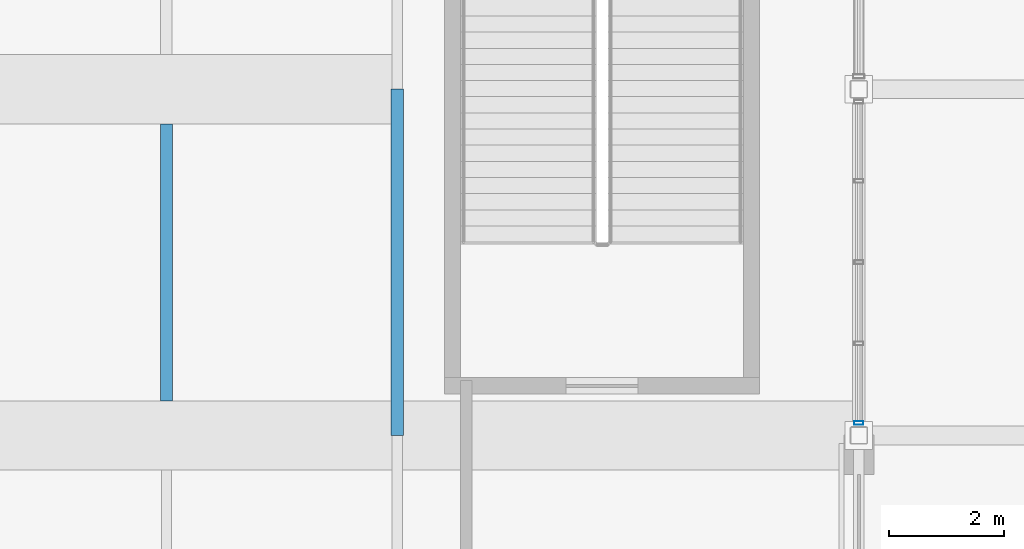
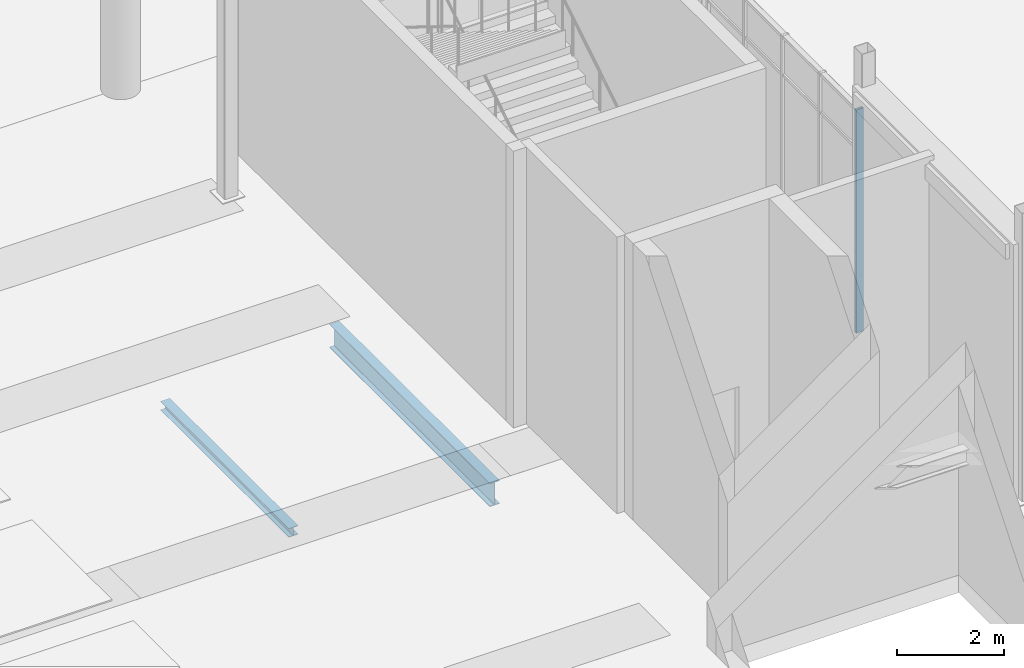
# One storey, part 42 of 140: 2 beams, 1 member, 1 element without a shape of its own.
"""IFC4 building model written with IfcOpenShell, lengths in metres."""

from ifc_helpers import new_model, si_unit, direction, frame, origin, origin_2d, place, context, subcontext, project, spatial, hollow_rectangle, i_section, extrude, material, material_profile, profile_set, type_object, element, aggregate, save


model = new_model("IFC4")

# Units and contexts
model_context = context("Model", 3, precision=1e-05, world=origin(), true_north=direction((0.0, 1.0)))
body_context = subcontext(model_context, "Body", "Model", "MODEL_VIEW")
ifc_project = project(units=[si_unit("LENGTHUNIT", "METRE"), si_unit("AREAUNIT", "SQUARE_METRE"), si_unit("VOLUMEUNIT", "CUBIC_METRE"), si_unit("PLANEANGLEUNIT", "RADIAN"), si_unit("MASSUNIT", "GRAM", prefix="KILO")], contexts=[model_context])

# Site, building, storey
site_placement = place(None, origin())
site = spatial("IfcSite", under=ifc_project, at=site_placement, CompositionType="ELEMENT")
building_placement = place(site_placement, origin())
building = spatial("IfcBuilding", under=site, at=building_placement, Name="Verrall Gate Interchange", CompositionType="ELEMENT")
storey_placement = place(building_placement, origin())
storey = spatial("IfcBuildingStorey", under=building, at=storey_placement, Name="L01", CompositionType="ELEMENT", Elevation=0.0)

# Beam
ifc_material_1 = material(Name="Structural Steel CSA G40.21 350W", Category="steel")
ifc_material_profile_1 = material_profile(ifc_material_1, i_section(OverallWidth=0.2109375, OverallDepth=0.5390625, WebThickness=0.01171875, FlangeThickness=0.018798828125, FilletRadius=0.013916015625, at=origin_2d()), Name="W530x109")
ifc_profile_set_1 = profile_set([ifc_material_profile_1], Name="Structural Steel CSA G40.21 350W")
beam_type_1 = type_object("IfcBeamType", Name="B-10 Structural Beam W530x109", PredefinedType="BEAM", material=ifc_profile_set_1)
beam_1_placement = place(storey_placement, frame((100.0, 34.0, -0.76953125), z_axis=(0.0, 1.0, 0.0), x_axis=(-1.0, 0.0, 0.0)))
element("IfcBeam", 1, at=beam_1_placement, inside=storey, type_object=beam_type_1, Name="L01 Girder BM-L01-1164 (B-10)", PredefinedType="BEAM", context=body_context, shape_type="SweptSolid", body=[
    extrude(i_section(OverallWidth=0.2109375, OverallDepth=0.5390625, WebThickness=0.01171875, FlangeThickness=0.018798828125, FilletRadius=0.013916015625, at=origin_2d()), origin(), (0.0, 0.0, 1.0), 6.0),
])

# Curtain wall, member
ifc_material_2 = material(Name="Thermally Broken Anodized Aluminium Curtain Wall Framing", Category="aluminium")
curtain_wall_type = type_object("IfcCurtainWallType", Name="CW-04 Unitized Curtain Wall 5631x5100", PredefinedType="NOTDEFINED", material=ifc_material_2)
curtain_wall_placement = place(storey_placement, origin())
curtain_wall = element("IfcCurtainWall", 2, at=curtain_wall_placement, inside=storey, type_object=curtain_wall_type, Name="L01 Unitized Curtain Wall CW-L01-006", PredefinedType="NOTDEFINED")
ifc_material_3 = material(Name="Thermally Broken Anodized Aluminium Curtain Wall Framing", Category="aluminium")
ifc_material_profile_2 = material_profile(ifc_material_3, hollow_rectangle(XDim=0.06494140625, YDim=0.159912109375, WallThickness=0.00390625, InnerFilletRadius=0.00390625, OuterFilletRadius=0.008056640625, at=origin_2d()), Name="CWM160x65x4")
ifc_profile_set_2 = profile_set([ifc_material_profile_2], Name="Thermally Broken Anodized Aluminium Curtain Wall Framing")
member_type = type_object("IfcMemberType", Name="CM-01 Curtain Mullion CWM160x65x4", PredefinedType="MULLION", material=ifc_profile_set_2)
member_placement = place(storey_placement, frame((108.0, 34.217041015625, 0.0), z_axis=(0.0, 0.0, 1.0), x_axis=(0.0, 1.0, 0.0)))
member = element("IfcMember", 3, at=member_placement, type_object=member_type, Name="CW-L01-006 Mullion 1", PredefinedType="MULLION", context=body_context, shape_type="SweptSolid", body=[
    extrude(hollow_rectangle(XDim=0.06494140625, YDim=0.159912109375, WallThickness=0.00390625, InnerFilletRadius=0.00390625, OuterFilletRadius=0.008056640625, at=origin_2d()), origin(), (0.0, 0.0, 1.0), 5.10009765625),
])
aggregate(curtain_wall, [member])

# Beam
ifc_material_4 = material(Name="Structural Steel CSA G40.21 350W", Category="steel")
ifc_material_profile_3 = material_profile(ifc_material_4, i_section(OverallWidth=0.202880859375, OverallDepth=0.202880859375, WebThickness=0.007080078125, FlangeThickness=0.010986328125, FilletRadius=0.010009765625, at=origin_2d()), Name="W200x46")
ifc_profile_set_3 = profile_set([ifc_material_profile_3], Name="Structural Steel CSA G40.21 350W")
beam_type_2 = type_object("IfcBeamType", Name="J-07 Floor Joist W200x46", PredefinedType="JOIST", material=ifc_profile_set_3)
beam_2_placement = place(storey_placement, frame((96.0, 34.60009765625, -0.6015625), z_axis=(0.0, 1.0, 0.0), x_axis=(-1.0, 0.0, 0.0)))
element("IfcBeam", 4, at=beam_2_placement, inside=storey, type_object=beam_type_2, Name="L01 Secondary Floor Joist JST-L01-1354", PredefinedType="JOIST", context=body_context, shape_type="SweptSolid", body=[
    extrude(i_section(OverallWidth=0.202880859375, OverallDepth=0.202880859375, WebThickness=0.007080078125, FlangeThickness=0.010986328125, FilletRadius=0.010009765625, at=origin_2d()), origin(), (0.0, 0.0, 1.0), 4.7998046875),
])

save(model, "model.ifc")
